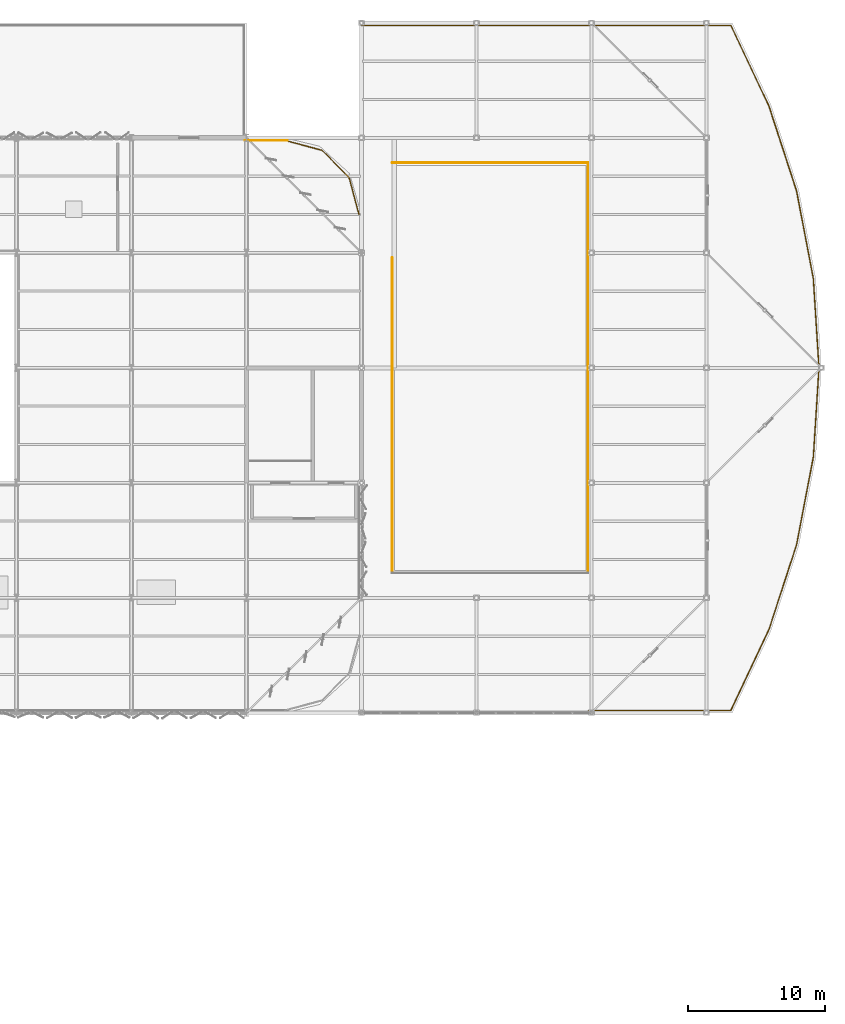
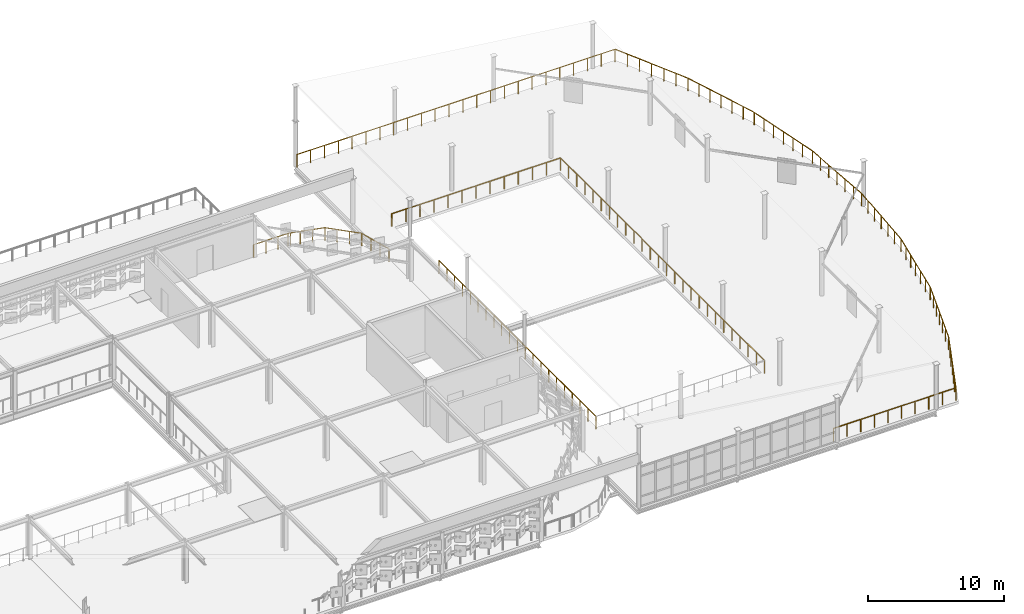
# One storey, part 65 of 65: 6 railings.
"""IFC4 building model written with IfcOpenShell, lengths in metres."""

import ifcopenshell
import ifcopenshell.guid

model = None  # the IFC model being written
_history = None  # IfcOwnerHistory: only IFC2X3 demands one
_inside = {}  # id of a spatial element -> (the spatial element, [elements in it])
_under = {}  # id of a project, library or spatial element -> (it, [spatial elements below it])
_declared = {}  # id of a project -> (the project, [libraries it declares])
_typed = {}  # id of a type object -> (the type object, [elements of that type])
_made_of = {}  # id of a material, layer set ... -> (it, [elements and type objects made of it])


def new_model(schema):
    """Start an empty IFC model of exactly this schema.

    Asked for "IFC4X3", IfcOpenShell would pick the latest addendum, in which some entities
    have other attributes; the version numbers below select the first issue.
    IFC2X3 requires an IfcOwnerHistory on every rooted entity: one is made here for all.
    """
    global model, _history
    if schema == "IFC4X3":
        model = ifcopenshell.file(schema_version=(4, 3, 0, 0))
    else:
        model = ifcopenshell.file(schema=schema)
    _inside.clear()
    _under.clear()
    _declared.clear()
    _typed.clear()
    _made_of.clear()
    _history = None
    if model.schema == "IFC2X3":
        org = make("IfcOrganization", Name="unknown")
        user = make(
            "IfcPersonAndOrganization",
            ThePerson=make("IfcPerson", FamilyName="unknown"),
            TheOrganization=org,
        )
        app = make(
            "IfcApplication",
            ApplicationDeveloper=org,
            Version="unknown",
            ApplicationFullName="unknown",
            ApplicationIdentifier="unknown",
        )
        _history = make(
            "IfcOwnerHistory",
            OwningUser=user,
            OwningApplication=app,
            ChangeAction="ADDED",
            CreationDate=0,
        )
    return model


def make(cls, **values):
    """One entity of the class cls with the attributes given. An attribute that is None is left unset."""
    return model.create_entity(
        cls, **{name: value for name, value in values.items() if value is not None}
    )


def rooted(cls, **values):
    """An entity with a GlobalId (a new one), such as an element, a storey or a relation."""
    return make(cls, GlobalId=ifcopenshell.guid.new(), OwnerHistory=_history, **values)


def si_unit(unit_type, name, prefix=None):
    """IfcSIUnit, for example si_unit("LENGTHUNIT", "METRE", prefix="MILLI")."""
    return make("IfcSIUnit", UnitType=unit_type, Prefix=prefix, Name=name)


def assignment(units):
    """IfcUnitAssignment: the units of a project."""
    return None if units is None else make("IfcUnitAssignment", Units=units)


def point(xyz):
    """IfcCartesianPoint."""
    return None if xyz is None else make("IfcCartesianPoint", Coordinates=xyz)


def direction(xyz):
    """IfcDirection."""
    return None if xyz is None else make("IfcDirection", DirectionRatios=xyz)


def frame(location, z_axis=None, x_axis=None):
    """IfcAxis2Placement3D, a coordinate frame: its origin and axes. An axis left out is left unset."""
    return make(
        "IfcAxis2Placement3D",
        Location=point(location),
        Axis=direction(z_axis),
        RefDirection=direction(x_axis),
    )


def frame_2d(location, x_axis=None):
    """IfcAxis2Placement2D, a coordinate frame in the plane: its origin and x axis."""
    return make(
        "IfcAxis2Placement2D", Location=point(location), RefDirection=direction(x_axis)
    )


def origin():
    """The frame at (0, 0, 0) with its axes left unset."""
    return frame((0.0, 0.0, 0.0))


def origin_2d():
    """The frame at (0, 0) in the plane with its x axis left unset."""
    return frame_2d((0.0, 0.0))


def place(relative_to, where):
    """IfcLocalPlacement: puts the frame where relative to a parent placement (None: the world)."""
    return make(
        "IfcLocalPlacement", PlacementRelTo=relative_to, RelativePlacement=where
    )


def context(
    kind, dimensions, precision=None, world=None, true_north=None, identifier=None
):
    """IfcGeometricRepresentationContext, for example the 3D "Model" context."""
    return make(
        "IfcGeometricRepresentationContext",
        ContextIdentifier=identifier,
        ContextType=kind,
        CoordinateSpaceDimension=dimensions,
        Precision=precision,
        WorldCoordinateSystem=world,
        TrueNorth=true_north,
    )


def subcontext(parent, identifier, kind, view, scale=None):
    """IfcGeometricRepresentationSubContext, for example "Body" below "Model"."""
    return make(
        "IfcGeometricRepresentationSubContext",
        ContextIdentifier=identifier,
        ContextType=kind,
        ParentContext=parent,
        TargetScale=scale,
        TargetView=view,
    )


def project(units=None, contexts=None):
    """IfcProject with its units and contexts."""
    return rooted(
        "IfcProject",
        Name="project",
        RepresentationContexts=contexts,
        UnitsInContext=assignment(units),
    )


def spatial(cls, under=None, at=None, **own):
    """A site, building, storey or space (cls), placed at a placement, below another one or the project."""
    s = rooted(cls, ObjectPlacement=at, **own)
    if under is not None:
        _under.setdefault(under.id(), (under, []))[1].append(s)
    return s


def profile(cls, at=None, kind="AREA", **sizes):
    """A parametric profile (cls). Its sizes go by their IFC names, for example OverallWidth=200.0."""
    return make(cls, ProfileType=kind, Position=at, **sizes)


def circle(**sizes):
    """IfcCircleProfileDef."""
    return profile("IfcCircleProfileDef", **sizes)


def extrude(swept, where, along, depth):
    """IfcExtrudedAreaSolid: the profile swept, set in the frame where, extruded along a direction by depth."""
    return make(
        "IfcExtrudedAreaSolid",
        SweptArea=swept,
        Position=where,
        ExtrudedDirection=direction(along),
        Depth=depth,
    )


def shape(context_of_items, identifier, shape_type, items):
    """IfcShapeRepresentation: the items that make up one representation, for example the "Body"."""
    return make(
        "IfcShapeRepresentation",
        ContextOfItems=context_of_items,
        RepresentationIdentifier=identifier,
        RepresentationType=shape_type,
        Items=items,
    )


def material(Name=None, Category=None):
    """IfcMaterial."""
    return make("IfcMaterial", Name=Name, Category=Category)


def made_of(thing, what):
    """Note that an element or type object is made of a material, layer set ...; save() writes the relation."""
    if what is not None:
        _made_of.setdefault(what.id(), (what, []))[1].append(thing)
    return thing


def type_object(cls, material=None, **own):
    """A type object (cls), such as IfcWallType, which elements share."""
    return made_of(rooted(cls, **own), material)


def element(
    cls,
    number,
    at=None,
    inside=None,
    cuts=None,
    type_object=None,
    material=None,
    context=None,
    identifier="Body",
    shape_type=None,
    held_by="IfcProductDefinitionShape",
    body=None,
    shapes=None,
    **own,
):
    """One element of the class cls, such as IfcWall. Its Tag is "e" and its number.

    at: its placement. inside: the storey or other place that contains it. cuts: it is an
    opening in that element (IfcRelVoidsElement). A single representation is given by context,
    identifier, shape_type and body (its items); several are given by shapes. held_by: the class
    of the entity that holds the representations. save() writes the other relations.
    """
    e = rooted(cls, Tag="e%d" % number, ObjectPlacement=at, **own)
    if body is not None:
        shapes = [shape(context, identifier, shape_type, body)]
    if shapes is not None:
        e.Representation = make(held_by, Representations=shapes)
    if inside is not None:
        _inside.setdefault(inside.id(), (inside, []))[1].append(e)
    if cuts is not None:
        rooted(
            "IfcRelVoidsElement", RelatingBuildingElement=cuts, RelatedOpeningElement=e
        )
    if type_object is not None:
        _typed.setdefault(type_object.id(), (type_object, []))[1].append(e)
    return made_of(e, material)


def aggregate(whole, parts):
    """IfcRelAggregates: a whole, such as a stair, and the parts it consists of."""
    return rooted("IfcRelAggregates", RelatingObject=whole, RelatedObjects=parts)


def save(model, path):
    """Write the relations noted so far, then the file.

    IfcRelAggregates (storeys below a building ...), IfcRelContainedInSpatialStructure (elements
    in a storey), IfcRelDefinesByType, IfcRelAssociatesMaterial and IfcRelDeclares: one each for
    every whole, place, type object, material and project.
    """
    for whole, parts in _under.values():
        aggregate(whole, parts)
    for where, things in _inside.values():
        rooted(
            "IfcRelContainedInSpatialStructure",
            RelatedElements=things,
            RelatingStructure=where,
        )
    for kind, things in _typed.values():
        rooted("IfcRelDefinesByType", RelatedObjects=things, RelatingType=kind)
    for what, things in _made_of.values():
        rooted("IfcRelAssociatesMaterial", RelatedObjects=things, RelatingMaterial=what)
    for by, libraries in _declared.values():
        rooted("IfcRelDeclares", RelatingContext=by, RelatedDefinitions=libraries)
    model.write(path)


model = new_model("IFC4")

# Units and contexts
model_context = context("Model", 3, precision=1e-05, world=origin(), true_north=direction((0.0, 1.0)))
body_context = subcontext(model_context, "Body", "Model", "MODEL_VIEW")
ifc_project = project(units=[si_unit("LENGTHUNIT", "METRE"), si_unit("AREAUNIT", "SQUARE_METRE"), si_unit("VOLUMEUNIT", "CUBIC_METRE"), si_unit("PLANEANGLEUNIT", "RADIAN"), si_unit("MASSUNIT", "GRAM", prefix="KILO")], contexts=[model_context])

# Site, building, storey
site_placement = place(None, origin())
site = spatial("IfcSite", under=ifc_project, at=site_placement, CompositionType="ELEMENT")
building_placement = place(site_placement, origin())
building = spatial("IfcBuilding", under=site, at=building_placement, Name="Qalvenar Corner Mobility Hub", CompositionType="ELEMENT")
storey_placement = place(building_placement, frame((0.0, 0.0, 17.39990234375)))
storey = spatial("IfcBuildingStorey", under=building, at=storey_placement, Name="L04", CompositionType="ELEMENT", Elevation=17.39990234375)

# Railings
ifc_material = material(Name="Galvanised Steel Deck Edge Barrier", Category="steel")
railing_type = type_object("IfcRailingType", Name="RL-GUARD-115", PredefinedType="GUARDRAIL", material=ifc_material)
railing_1_placement = place(storey_placement, frame((134.300048828125, 109.02001953125, 0.0)))
element("IfcRailing", 1, at=railing_1_placement, inside=storey, type_object=railing_type, Name="Parking Deck Edge Barrier L04-NE", PredefinedType="GUARDRAIL", context=body_context, shape_type="SweptSolid", body=[
    extrude(circle(Radius=0.02392578125, at=origin_2d()), frame((0.0, 0.0, 1.1259765625), z_axis=(1.0, 0.0, 0.0), x_axis=(0.0, 1.0, 0.0)), (0.0, 0.0, 1.0), 3.099853515625),
    extrude(circle(Radius=0.02099609375, at=origin_2d()), origin(), (0.0, 0.0, 1.0), 1.101806640625),
    extrude(circle(Radius=0.02099609375, at=origin_2d()), frame((1.033203125, 0.0, 0.0)), (0.0, 0.0, 1.0), 1.101806640625),
    extrude(circle(Radius=0.02099609375, at=origin_2d()), frame((2.066650390625, 0.0, 0.0)), (0.0, 0.0, 1.0), 1.101806640625),
    extrude(circle(Radius=0.02099609375, at=origin_2d()), frame((3.099853515625, 0.0, 0.0)), (0.0, 0.0, 1.0), 1.101806640625),
])
railing_2_placement = place(storey_placement, frame((142.6201171875, 103.60009765625, 0.0)))
element("IfcRailing", 2, at=railing_2_placement, inside=storey, type_object=railing_type, Name="Rounded Corner Barrier L04-NE", PredefinedType="GUARDRAIL", context=body_context, shape_type="SweptSolid", body=[
    extrude(circle(Radius=0.02392578125, at=origin_2d()), frame((0.0, 0.0, 1.1259765625), z_axis=(-0.25888107057, 0.965909204481, 0.0), x_axis=(-0.965909204481, -0.25888107057, 0.0)), (0.0, 0.0, 1.0), 2.8056640625),
    extrude(circle(Radius=0.02392578125, at=origin_2d()), frame((-0.726318359375, 2.7099609375, 1.1259765625), z_axis=(-0.707106781187, 0.707106781187, 0.0), x_axis=(-0.707106781187, -0.707106781187, 0.0)), (0.0, 0.0, 1.0), 2.8056640625),
    extrude(circle(Radius=0.02392578125, at=origin_2d()), frame((-2.710205078125, 4.69384765625, 1.1259765625), z_axis=(-0.965930961109, 0.258799880931, 0.0), x_axis=(-0.258799880931, -0.965930961109, 0.0)), (0.0, 0.0, 1.0), 2.8056640625),
    extrude(circle(Radius=0.02099609375, at=origin_2d()), origin(), (0.0, 0.0, 1.0), 1.101806640625),
    extrude(circle(Radius=0.02099609375, at=origin_2d()), frame((-0.2421875, 0.9033203125, 0.0)), (0.0, 0.0, 1.0), 1.101806640625),
    extrude(circle(Radius=0.02099609375, at=origin_2d()), frame((-0.484130859375, 1.806640625, 0.0)), (0.0, 0.0, 1.0), 1.101806640625),
    extrude(circle(Radius=0.02099609375, at=origin_2d()), frame((-0.726318359375, 2.7099609375, 0.0)), (0.0, 0.0, 1.0), 1.101806640625),
    extrude(circle(Radius=0.02099609375, at=origin_2d()), frame((-1.3876953125, 3.371337890625, 0.0)), (0.0, 0.0, 1.0), 1.101806640625),
    extrude(circle(Radius=0.02099609375, at=origin_2d()), frame((-2.048828125, 4.032470703125, 0.0)), (0.0, 0.0, 1.0), 1.101806640625),
    extrude(circle(Radius=0.02099609375, at=origin_2d()), frame((-2.710205078125, 4.69384765625, 0.0)), (0.0, 0.0, 1.0), 1.101806640625),
    extrude(circle(Radius=0.02099609375, at=origin_2d()), frame((-3.613525390625, 4.935791015625, 0.0)), (0.0, 0.0, 1.0), 1.101806640625),
    extrude(circle(Radius=0.02099609375, at=origin_2d()), frame((-4.516845703125, 5.177978515625, 0.0)), (0.0, 0.0, 1.0), 1.101806640625),
    extrude(circle(Radius=0.02099609375, at=origin_2d()), frame((-5.420166015625, 5.419921875, 0.0)), (0.0, 0.0, 1.0), 1.101806640625),
])
railing_3_placement = place(storey_placement, frame((159.39990234375, 67.3798828125, 0.0)))
element("IfcRailing", 3, at=railing_3_placement, inside=storey, type_object=railing_type, Name="Rotunda Drum Perimeter Barrier L04", PredefinedType="GUARDRAIL", context=body_context, shape_type="SweptSolid", body=[
    extrude(circle(Radius=0.02392578125, at=origin_2d()), frame((0.0, 0.0, 1.1259765625), z_axis=(1.0, 0.0, 0.0), x_axis=(0.0, 1.0, 0.0)), (0.0, 0.0, 1.0), 10.379638671875),
    extrude(circle(Radius=0.02392578125, at=origin_2d()), frame((10.379638671875, 0.0, 1.1259765625), z_axis=(0.426753831434, 0.904367827466, 0.0), x_axis=(-0.904367827466, 0.426753831434, 0.0)), (0.0, 0.0, 1.0), 6.5234375),
    extrude(circle(Radius=0.02392578125, at=origin_2d()), frame((13.16357421875, 5.899658203125, 1.1259765625), z_axis=(0.309730839995, 0.950824277538, 0.0), x_axis=(-0.950824277538, 0.309730839995, 0.0)), (0.0, 0.0, 1.0), 6.5234375),
    extrude(circle(Radius=0.02392578125, at=origin_2d()), frame((15.18408203125, 12.102294921875, 1.1259765625), z_axis=(0.187839523494, 0.982199731935, 0.0), x_axis=(-0.982199731935, 0.187839523494, 0.0)), (0.0, 0.0, 1.0), 6.5234375),
    extrude(circle(Radius=0.02392578125, at=origin_2d()), frame((16.409423828125, 18.509521484375, 1.1259765625), z_axis=(0.062949118857, 0.998016737553, 0.0), x_axis=(-0.998016737553, 0.062949118857, 0.0)), (0.0, 0.0, 1.0), 6.5234375),
    extrude(circle(Radius=0.02392578125, at=origin_2d()), frame((16.820068359375, 25.02001953125, 1.1259765625), z_axis=(-0.062949118857, 0.998016737553, 0.0), x_axis=(-0.998016737553, -0.062949118857, 0.0)), (0.0, 0.0, 1.0), 6.5234375),
    extrude(circle(Radius=0.02392578125, at=origin_2d()), frame((16.409423828125, 31.530517578125, 1.1259765625), z_axis=(-0.187832618856, 0.982201052379, 0.0), x_axis=(-0.982201052379, -0.187832618856, 0.0)), (0.0, 0.0, 1.0), 6.523681640625),
    extrude(circle(Radius=0.02392578125, at=origin_2d()), frame((15.18408203125, 37.93798828125, 1.1259765625), z_axis=(-0.309730839995, 0.950824277538, 0.0), x_axis=(-0.950824277538, -0.309730839995, 0.0)), (0.0, 0.0, 1.0), 6.5234375),
    extrude(circle(Radius=0.02392578125, at=origin_2d()), frame((13.16357421875, 44.140625, 1.1259765625), z_axis=(-0.426768275647, 0.904361011378, 0.0), x_axis=(-0.904361011378, -0.426768275647, 0.0)), (0.0, 0.0, 1.0), 6.523193359375),
    extrude(circle(Radius=0.02392578125, at=origin_2d()), frame((10.379638671875, 50.0400390625, 1.1259765625), z_axis=(-1.0, 0.0, 0.0), x_axis=(0.0, -1.0, 0.0)), (0.0, 0.0, 1.0), 26.9794921875),
    extrude(circle(Radius=0.02099609375, at=origin_2d()), origin(), (0.0, 0.0, 1.0), 1.101806640625),
    extrude(circle(Radius=0.02099609375, at=origin_2d()), frame((1.1533203125, 0.0, 0.0)), (0.0, 0.0, 1.0), 1.101806640625),
    extrude(circle(Radius=0.02099609375, at=origin_2d()), frame((2.306640625, 0.0, 0.0)), (0.0, 0.0, 1.0), 1.101806640625),
    extrude(circle(Radius=0.02099609375, at=origin_2d()), frame((3.4599609375, 0.0, 0.0)), (0.0, 0.0, 1.0), 1.101806640625),
    extrude(circle(Radius=0.02099609375, at=origin_2d()), frame((4.61328125, 0.0, 0.0)), (0.0, 0.0, 1.0), 1.101806640625),
    extrude(circle(Radius=0.02099609375, at=origin_2d()), frame((5.766357421875, 0.0, 0.0)), (0.0, 0.0, 1.0), 1.101806640625),
    extrude(circle(Radius=0.02099609375, at=origin_2d()), frame((6.919677734375, 0.0, 0.0)), (0.0, 0.0, 1.0), 1.101806640625),
    extrude(circle(Radius=0.02099609375, at=origin_2d()), frame((8.072998046875, 0.0, 0.0)), (0.0, 0.0, 1.0), 1.101806640625),
    extrude(circle(Radius=0.02099609375, at=origin_2d()), frame((9.226318359375, 0.0, 0.0)), (0.0, 0.0, 1.0), 1.101806640625),
    extrude(circle(Radius=0.02099609375, at=origin_2d()), frame((10.379638671875, 0.0, 0.0)), (0.0, 0.0, 1.0), 1.101806640625),
    extrude(circle(Radius=0.02099609375, at=origin_2d()), frame((10.84375, 0.9833984375, 0.0)), (0.0, 0.0, 1.0), 1.101806640625),
    extrude(circle(Radius=0.02099609375, at=origin_2d()), frame((11.3076171875, 1.966552734375, 0.0)), (0.0, 0.0, 1.0), 1.101806640625),
    extrude(circle(Radius=0.02099609375, at=origin_2d()), frame((11.771484375, 2.94970703125, 0.0)), (0.0, 0.0, 1.0), 1.101806640625),
    extrude(circle(Radius=0.02099609375, at=origin_2d()), frame((12.235595703125, 3.93310546875, 0.0)), (0.0, 0.0, 1.0), 1.101806640625),
    extrude(circle(Radius=0.02099609375, at=origin_2d()), frame((12.69970703125, 4.91650390625, 0.0)), (0.0, 0.0, 1.0), 1.101806640625),
    extrude(circle(Radius=0.02099609375, at=origin_2d()), frame((13.16357421875, 5.899658203125, 0.0)), (0.0, 0.0, 1.0), 1.101806640625),
    extrude(circle(Radius=0.02099609375, at=origin_2d()), frame((13.500244140625, 6.933349609375, 0.0)), (0.0, 0.0, 1.0), 1.101806640625),
    extrude(circle(Radius=0.02099609375, at=origin_2d()), frame((13.837158203125, 7.96728515625, 0.0)), (0.0, 0.0, 1.0), 1.101806640625),
    extrude(circle(Radius=0.02099609375, at=origin_2d()), frame((14.173828125, 9.0009765625, 0.0)), (0.0, 0.0, 1.0), 1.101806640625),
    extrude(circle(Radius=0.02099609375, at=origin_2d()), frame((14.510498046875, 10.03466796875, 0.0)), (0.0, 0.0, 1.0), 1.101806640625),
    extrude(circle(Radius=0.02099609375, at=origin_2d()), frame((14.847412109375, 11.068603515625, 0.0)), (0.0, 0.0, 1.0), 1.101806640625),
    extrude(circle(Radius=0.02099609375, at=origin_2d()), frame((15.18408203125, 12.102294921875, 0.0)), (0.0, 0.0, 1.0), 1.101806640625),
    extrude(circle(Radius=0.02099609375, at=origin_2d()), frame((15.38818359375, 13.170166015625, 0.0)), (0.0, 0.0, 1.0), 1.101806640625),
    extrude(circle(Radius=0.02099609375, at=origin_2d()), frame((15.592529296875, 14.238037109375, 0.0)), (0.0, 0.0, 1.0), 1.101806640625),
    extrude(circle(Radius=0.02099609375, at=origin_2d()), frame((15.796875, 15.305908203125, 0.0)), (0.0, 0.0, 1.0), 1.101806640625),
    extrude(circle(Radius=0.02099609375, at=origin_2d()), frame((16.0009765625, 16.373779296875, 0.0)), (0.0, 0.0, 1.0), 1.101806640625),
    extrude(circle(Radius=0.02099609375, at=origin_2d()), frame((16.205078125, 17.441650390625, 0.0)), (0.0, 0.0, 1.0), 1.101806640625),
    extrude(circle(Radius=0.02099609375, at=origin_2d()), frame((16.409423828125, 18.509521484375, 0.0)), (0.0, 0.0, 1.0), 1.101806640625),
    extrude(circle(Radius=0.02099609375, at=origin_2d()), frame((16.477783203125, 19.5947265625, 0.0)), (0.0, 0.0, 1.0), 1.101806640625),
    extrude(circle(Radius=0.02099609375, at=origin_2d()), frame((16.54638671875, 20.6796875, 0.0)), (0.0, 0.0, 1.0), 1.101806640625),
    extrude(circle(Radius=0.02099609375, at=origin_2d()), frame((16.61474609375, 21.7646484375, 0.0)), (0.0, 0.0, 1.0), 1.101806640625),
    extrude(circle(Radius=0.02099609375, at=origin_2d()), frame((16.68310546875, 22.849853515625, 0.0)), (0.0, 0.0, 1.0), 1.101806640625),
    extrude(circle(Radius=0.02099609375, at=origin_2d()), frame((16.751708984375, 23.93505859375, 0.0)), (0.0, 0.0, 1.0), 1.101806640625),
    extrude(circle(Radius=0.02099609375, at=origin_2d()), frame((16.820068359375, 25.02001953125, 0.0)), (0.0, 0.0, 1.0), 1.101806640625),
    extrude(circle(Radius=0.02099609375, at=origin_2d()), frame((16.751708984375, 26.10498046875, 0.0)), (0.0, 0.0, 1.0), 1.101806640625),
    extrude(circle(Radius=0.02099609375, at=origin_2d()), frame((16.68310546875, 27.190185546875, 0.0)), (0.0, 0.0, 1.0), 1.101806640625),
    extrude(circle(Radius=0.02099609375, at=origin_2d()), frame((16.61474609375, 28.275390625, 0.0)), (0.0, 0.0, 1.0), 1.101806640625),
    extrude(circle(Radius=0.02099609375, at=origin_2d()), frame((16.54638671875, 29.3603515625, 0.0)), (0.0, 0.0, 1.0), 1.101806640625),
    extrude(circle(Radius=0.02099609375, at=origin_2d()), frame((16.477783203125, 30.4453125, 0.0)), (0.0, 0.0, 1.0), 1.101806640625),
    extrude(circle(Radius=0.02099609375, at=origin_2d()), frame((16.409423828125, 31.530517578125, 0.0)), (0.0, 0.0, 1.0), 1.101806640625),
    extrude(circle(Radius=0.02099609375, at=origin_2d()), frame((16.205078125, 32.598388671875, 0.0)), (0.0, 0.0, 1.0), 1.101806640625),
    extrude(circle(Radius=0.02099609375, at=origin_2d()), frame((16.0009765625, 33.666259765625, 0.0)), (0.0, 0.0, 1.0), 1.101806640625),
    extrude(circle(Radius=0.02099609375, at=origin_2d()), frame((15.796875, 34.734375, 0.0)), (0.0, 0.0, 1.0), 1.101806640625),
    extrude(circle(Radius=0.02099609375, at=origin_2d()), frame((15.592529296875, 35.80224609375, 0.0)), (0.0, 0.0, 1.0), 1.101806640625),
    extrude(circle(Radius=0.02099609375, at=origin_2d()), frame((15.38818359375, 36.8701171875, 0.0)), (0.0, 0.0, 1.0), 1.101806640625),
    extrude(circle(Radius=0.02099609375, at=origin_2d()), frame((15.18408203125, 37.93798828125, 0.0)), (0.0, 0.0, 1.0), 1.101806640625),
    extrude(circle(Radius=0.02099609375, at=origin_2d()), frame((14.847412109375, 38.9716796875, 0.0)), (0.0, 0.0, 1.0), 1.101806640625),
    extrude(circle(Radius=0.02099609375, at=origin_2d()), frame((14.510498046875, 40.005615234375, 0.0)), (0.0, 0.0, 1.0), 1.101806640625),
    extrude(circle(Radius=0.02099609375, at=origin_2d()), frame((14.173828125, 41.039306640625, 0.0)), (0.0, 0.0, 1.0), 1.101806640625),
    extrude(circle(Radius=0.02099609375, at=origin_2d()), frame((13.837158203125, 42.072998046875, 0.0)), (0.0, 0.0, 1.0), 1.101806640625),
    extrude(circle(Radius=0.02099609375, at=origin_2d()), frame((13.500244140625, 43.10693359375, 0.0)), (0.0, 0.0, 1.0), 1.101806640625),
    extrude(circle(Radius=0.02099609375, at=origin_2d()), frame((13.16357421875, 44.140625, 0.0)), (0.0, 0.0, 1.0), 1.101806640625),
    extrude(circle(Radius=0.02099609375, at=origin_2d()), frame((12.69970703125, 45.123779296875, 0.0)), (0.0, 0.0, 1.0), 1.101806640625),
    extrude(circle(Radius=0.02099609375, at=origin_2d()), frame((12.235595703125, 46.107177734375, 0.0)), (0.0, 0.0, 1.0), 1.101806640625),
    extrude(circle(Radius=0.02099609375, at=origin_2d()), frame((11.771484375, 47.09033203125, 0.0)), (0.0, 0.0, 1.0), 1.101806640625),
    extrude(circle(Radius=0.02099609375, at=origin_2d()), frame((11.3076171875, 48.073486328125, 0.0)), (0.0, 0.0, 1.0), 1.101806640625),
    extrude(circle(Radius=0.02099609375, at=origin_2d()), frame((10.84375, 49.056884765625, 0.0)), (0.0, 0.0, 1.0), 1.101806640625),
    extrude(circle(Radius=0.02099609375, at=origin_2d()), frame((10.379638671875, 50.0400390625, 0.0)), (0.0, 0.0, 1.0), 1.101806640625),
    extrude(circle(Radius=0.02099609375, at=origin_2d()), frame((9.20654296875, 50.0400390625, 0.0)), (0.0, 0.0, 1.0), 1.101806640625),
    extrude(circle(Radius=0.02099609375, at=origin_2d()), frame((8.03369140625, 50.0400390625, 0.0)), (0.0, 0.0, 1.0), 1.101806640625),
    extrude(circle(Radius=0.02099609375, at=origin_2d()), frame((6.860595703125, 50.0400390625, 0.0)), (0.0, 0.0, 1.0), 1.101806640625),
    extrude(circle(Radius=0.02099609375, at=origin_2d()), frame((5.6875, 50.0400390625, 0.0)), (0.0, 0.0, 1.0), 1.101806640625),
    extrude(circle(Radius=0.02099609375, at=origin_2d()), frame((4.5146484375, 50.0400390625, 0.0)), (0.0, 0.0, 1.0), 1.101806640625),
    extrude(circle(Radius=0.02099609375, at=origin_2d()), frame((3.341552734375, 50.0400390625, 0.0)), (0.0, 0.0, 1.0), 1.101806640625),
    extrude(circle(Radius=0.02099609375, at=origin_2d()), frame((2.16845703125, 50.0400390625, 0.0)), (0.0, 0.0, 1.0), 1.101806640625),
    extrude(circle(Radius=0.02099609375, at=origin_2d()), frame((0.995361328125, 50.0400390625, 0.0)), (0.0, 0.0, 1.0), 1.101806640625),
    extrude(circle(Radius=0.02099609375, at=origin_2d()), frame((-0.177490234375, 50.0400390625, 0.0)), (0.0, 0.0, 1.0), 1.101806640625),
    extrude(circle(Radius=0.02099609375, at=origin_2d()), frame((-1.3505859375, 50.0400390625, 0.0)), (0.0, 0.0, 1.0), 1.101806640625),
    extrude(circle(Radius=0.02099609375, at=origin_2d()), frame((-2.523681640625, 50.0400390625, 0.0)), (0.0, 0.0, 1.0), 1.101806640625),
    extrude(circle(Radius=0.02099609375, at=origin_2d()), frame((-3.696533203125, 50.0400390625, 0.0)), (0.0, 0.0, 1.0), 1.101806640625),
    extrude(circle(Radius=0.02099609375, at=origin_2d()), frame((-4.86962890625, 50.0400390625, 0.0)), (0.0, 0.0, 1.0), 1.101806640625),
    extrude(circle(Radius=0.02099609375, at=origin_2d()), frame((-6.042724609375, 50.0400390625, 0.0)), (0.0, 0.0, 1.0), 1.101806640625),
    extrude(circle(Radius=0.02099609375, at=origin_2d()), frame((-7.215576171875, 50.0400390625, 0.0)), (0.0, 0.0, 1.0), 1.101806640625),
    extrude(circle(Radius=0.02099609375, at=origin_2d()), frame((-8.388671875, 50.0400390625, 0.0)), (0.0, 0.0, 1.0), 1.101806640625),
    extrude(circle(Radius=0.02099609375, at=origin_2d()), frame((-9.561767578125, 50.0400390625, 0.0)), (0.0, 0.0, 1.0), 1.101806640625),
    extrude(circle(Radius=0.02099609375, at=origin_2d()), frame((-10.73486328125, 50.0400390625, 0.0)), (0.0, 0.0, 1.0), 1.101806640625),
    extrude(circle(Radius=0.02099609375, at=origin_2d()), frame((-11.90771484375, 50.0400390625, 0.0)), (0.0, 0.0, 1.0), 1.101806640625),
    extrude(circle(Radius=0.02099609375, at=origin_2d()), frame((-13.080810546875, 50.0400390625, 0.0)), (0.0, 0.0, 1.0), 1.101806640625),
    extrude(circle(Radius=0.02099609375, at=origin_2d()), frame((-14.25390625, 50.0400390625, 0.0)), (0.0, 0.0, 1.0), 1.101806640625),
    extrude(circle(Radius=0.02099609375, at=origin_2d()), frame((-15.4267578125, 50.0400390625, 0.0)), (0.0, 0.0, 1.0), 1.101806640625),
    extrude(circle(Radius=0.02099609375, at=origin_2d()), frame((-16.599853515625, 50.0400390625, 0.0)), (0.0, 0.0, 1.0), 1.101806640625),
])
railing_4_placement = place(storey_placement, frame((145.050048828125, 107.3798828125, 0.0)))
element("IfcRailing", 4, at=railing_4_placement, inside=storey, type_object=railing_type, Name="Ramp Well Guardrail North L04", PredefinedType="GUARDRAIL", context=body_context, shape_type="SweptSolid", body=[
    extrude(circle(Radius=0.02392578125, at=origin_2d()), frame((0.0, 0.0, 1.1259765625), z_axis=(1.0, 0.0, 0.0), x_axis=(0.0, 1.0, 0.0)), (0.0, 0.0, 1.0), 14.300048828125),
    extrude(circle(Radius=0.02099609375, at=origin_2d()), origin(), (0.0, 0.0, 1.0), 1.101806640625),
    extrude(circle(Radius=0.02099609375, at=origin_2d()), frame((1.191650390625, 0.0, 0.0)), (0.0, 0.0, 1.0), 1.101806640625),
    extrude(circle(Radius=0.02099609375, at=origin_2d()), frame((2.38330078125, 0.0, 0.0)), (0.0, 0.0, 1.0), 1.101806640625),
    extrude(circle(Radius=0.02099609375, at=origin_2d()), frame((3.574951171875, 0.0, 0.0)), (0.0, 0.0, 1.0), 1.101806640625),
    extrude(circle(Radius=0.02099609375, at=origin_2d()), frame((4.7666015625, 0.0, 0.0)), (0.0, 0.0, 1.0), 1.101806640625),
    extrude(circle(Radius=0.02099609375, at=origin_2d()), frame((5.958251953125, 0.0, 0.0)), (0.0, 0.0, 1.0), 1.101806640625),
    extrude(circle(Radius=0.02099609375, at=origin_2d()), frame((7.14990234375, 0.0, 0.0)), (0.0, 0.0, 1.0), 1.101806640625),
    extrude(circle(Radius=0.02099609375, at=origin_2d()), frame((8.341796875, 0.0, 0.0)), (0.0, 0.0, 1.0), 1.101806640625),
    extrude(circle(Radius=0.02099609375, at=origin_2d()), frame((9.533447265625, 0.0, 0.0)), (0.0, 0.0, 1.0), 1.101806640625),
    extrude(circle(Radius=0.02099609375, at=origin_2d()), frame((10.72509765625, 0.0, 0.0)), (0.0, 0.0, 1.0), 1.101806640625),
    extrude(circle(Radius=0.02099609375, at=origin_2d()), frame((11.916748046875, 0.0, 0.0)), (0.0, 0.0, 1.0), 1.101806640625),
    extrude(circle(Radius=0.02099609375, at=origin_2d()), frame((13.1083984375, 0.0, 0.0)), (0.0, 0.0, 1.0), 1.101806640625),
    extrude(circle(Radius=0.02099609375, at=origin_2d()), frame((14.300048828125, 0.0, 0.0)), (0.0, 0.0, 1.0), 1.101806640625),
])
railing_5_placement = place(storey_placement, frame((145.050048828125, 77.419921875, 0.0)))
element("IfcRailing", 5, at=railing_5_placement, inside=storey, type_object=railing_type, Name="Ramp Well Guardrail West L04", PredefinedType="GUARDRAIL", context=body_context, shape_type="SweptSolid", body=[
    extrude(circle(Radius=0.02392578125, at=origin_2d()), frame((0.0, 0.0, 1.1259765625), z_axis=(0.0, 1.0, 0.0), x_axis=(-1.0, 0.0, 0.0)), (0.0, 0.0, 1.0), 23.030029296875),
    extrude(circle(Radius=0.02099609375, at=origin_2d()), origin(), (0.0, 0.0, 1.0), 1.101806640625),
    extrude(circle(Radius=0.02099609375, at=origin_2d()), frame((0.0, 1.151611328125, 0.0)), (0.0, 0.0, 1.0), 1.101806640625),
    extrude(circle(Radius=0.02099609375, at=origin_2d()), frame((0.0, 2.302978515625, 0.0)), (0.0, 0.0, 1.0), 1.101806640625),
    extrude(circle(Radius=0.02099609375, at=origin_2d()), frame((0.0, 3.45458984375, 0.0)), (0.0, 0.0, 1.0), 1.101806640625),
    extrude(circle(Radius=0.02099609375, at=origin_2d()), frame((0.0, 4.60595703125, 0.0)), (0.0, 0.0, 1.0), 1.101806640625),
    extrude(circle(Radius=0.02099609375, at=origin_2d()), frame((0.0, 5.757568359375, 0.0)), (0.0, 0.0, 1.0), 1.101806640625),
    extrude(circle(Radius=0.02099609375, at=origin_2d()), frame((0.0, 6.908935546875, 0.0)), (0.0, 0.0, 1.0), 1.101806640625),
    extrude(circle(Radius=0.02099609375, at=origin_2d()), frame((0.0, 8.060546875, 0.0)), (0.0, 0.0, 1.0), 1.101806640625),
    extrude(circle(Radius=0.02099609375, at=origin_2d()), frame((0.0, 9.2119140625, 0.0)), (0.0, 0.0, 1.0), 1.101806640625),
    extrude(circle(Radius=0.02099609375, at=origin_2d()), frame((0.0, 10.363525390625, 0.0)), (0.0, 0.0, 1.0), 1.101806640625),
    extrude(circle(Radius=0.02099609375, at=origin_2d()), frame((0.0, 11.51513671875, 0.0)), (0.0, 0.0, 1.0), 1.101806640625),
    extrude(circle(Radius=0.02099609375, at=origin_2d()), frame((0.0, 12.66650390625, 0.0)), (0.0, 0.0, 1.0), 1.101806640625),
    extrude(circle(Radius=0.02099609375, at=origin_2d()), frame((0.0, 13.818115234375, 0.0)), (0.0, 0.0, 1.0), 1.101806640625),
    extrude(circle(Radius=0.02099609375, at=origin_2d()), frame((0.0, 14.969482421875, 0.0)), (0.0, 0.0, 1.0), 1.101806640625),
    extrude(circle(Radius=0.02099609375, at=origin_2d()), frame((0.0, 16.12109375, 0.0)), (0.0, 0.0, 1.0), 1.101806640625),
    extrude(circle(Radius=0.02099609375, at=origin_2d()), frame((0.0, 17.2724609375, 0.0)), (0.0, 0.0, 1.0), 1.101806640625),
    extrude(circle(Radius=0.02099609375, at=origin_2d()), frame((0.0, 18.424072265625, 0.0)), (0.0, 0.0, 1.0), 1.101806640625),
    extrude(circle(Radius=0.02099609375, at=origin_2d()), frame((0.0, 19.575439453125, 0.0)), (0.0, 0.0, 1.0), 1.101806640625),
    extrude(circle(Radius=0.02099609375, at=origin_2d()), frame((0.0, 20.72705078125, 0.0)), (0.0, 0.0, 1.0), 1.101806640625),
    extrude(circle(Radius=0.02099609375, at=origin_2d()), frame((0.0, 21.87841796875, 0.0)), (0.0, 0.0, 1.0), 1.101806640625),
    extrude(circle(Radius=0.02099609375, at=origin_2d()), frame((0.0, 23.030029296875, 0.0)), (0.0, 0.0, 1.0), 1.101806640625),
])
railing_6_placement = place(storey_placement, frame((159.35009765625, 77.419921875, 0.0)))
element("IfcRailing", 6, at=railing_6_placement, inside=storey, type_object=railing_type, Name="Ramp Well Guardrail East L04", PredefinedType="GUARDRAIL", context=body_context, shape_type="SweptSolid", body=[
    extrude(circle(Radius=0.02392578125, at=origin_2d()), frame((0.0, 0.0, 1.1259765625), z_axis=(0.0, 1.0, 0.0), x_axis=(-1.0, 0.0, 0.0)), (0.0, 0.0, 1.0), 29.9599609375),
    extrude(circle(Radius=0.02099609375, at=origin_2d()), origin(), (0.0, 0.0, 1.0), 1.101806640625),
    extrude(circle(Radius=0.02099609375, at=origin_2d()), frame((0.0, 1.198486328125, 0.0)), (0.0, 0.0, 1.0), 1.101806640625),
    extrude(circle(Radius=0.02099609375, at=origin_2d()), frame((0.0, 2.396728515625, 0.0)), (0.0, 0.0, 1.0), 1.101806640625),
    extrude(circle(Radius=0.02099609375, at=origin_2d()), frame((0.0, 3.59521484375, 0.0)), (0.0, 0.0, 1.0), 1.101806640625),
    extrude(circle(Radius=0.02099609375, at=origin_2d()), frame((0.0, 4.793701171875, 0.0)), (0.0, 0.0, 1.0), 1.101806640625),
    extrude(circle(Radius=0.02099609375, at=origin_2d()), frame((0.0, 5.991943359375, 0.0)), (0.0, 0.0, 1.0), 1.101806640625),
    extrude(circle(Radius=0.02099609375, at=origin_2d()), frame((0.0, 7.1904296875, 0.0)), (0.0, 0.0, 1.0), 1.101806640625),
    extrude(circle(Radius=0.02099609375, at=origin_2d()), frame((0.0, 8.388671875, 0.0)), (0.0, 0.0, 1.0), 1.101806640625),
    extrude(circle(Radius=0.02099609375, at=origin_2d()), frame((0.0, 9.587158203125, 0.0)), (0.0, 0.0, 1.0), 1.101806640625),
    extrude(circle(Radius=0.02099609375, at=origin_2d()), frame((0.0, 10.78564453125, 0.0)), (0.0, 0.0, 1.0), 1.101806640625),
    extrude(circle(Radius=0.02099609375, at=origin_2d()), frame((0.0, 11.98388671875, 0.0)), (0.0, 0.0, 1.0), 1.101806640625),
    extrude(circle(Radius=0.02099609375, at=origin_2d()), frame((0.0, 13.182373046875, 0.0)), (0.0, 0.0, 1.0), 1.101806640625),
    extrude(circle(Radius=0.02099609375, at=origin_2d()), frame((0.0, 14.380859375, 0.0)), (0.0, 0.0, 1.0), 1.101806640625),
    extrude(circle(Radius=0.02099609375, at=origin_2d()), frame((0.0, 15.5791015625, 0.0)), (0.0, 0.0, 1.0), 1.101806640625),
    extrude(circle(Radius=0.02099609375, at=origin_2d()), frame((0.0, 16.777587890625, 0.0)), (0.0, 0.0, 1.0), 1.101806640625),
    extrude(circle(Radius=0.02099609375, at=origin_2d()), frame((0.0, 17.97607421875, 0.0)), (0.0, 0.0, 1.0), 1.101806640625),
    extrude(circle(Radius=0.02099609375, at=origin_2d()), frame((0.0, 19.17431640625, 0.0)), (0.0, 0.0, 1.0), 1.101806640625),
    extrude(circle(Radius=0.02099609375, at=origin_2d()), frame((0.0, 20.372802734375, 0.0)), (0.0, 0.0, 1.0), 1.101806640625),
    extrude(circle(Radius=0.02099609375, at=origin_2d()), frame((0.0, 21.5712890625, 0.0)), (0.0, 0.0, 1.0), 1.101806640625),
    extrude(circle(Radius=0.02099609375, at=origin_2d()), frame((0.0, 22.76953125, 0.0)), (0.0, 0.0, 1.0), 1.101806640625),
    extrude(circle(Radius=0.02099609375, at=origin_2d()), frame((0.0, 23.968017578125, 0.0)), (0.0, 0.0, 1.0), 1.101806640625),
    extrude(circle(Radius=0.02099609375, at=origin_2d()), frame((0.0, 25.166259765625, 0.0)), (0.0, 0.0, 1.0), 1.101806640625),
    extrude(circle(Radius=0.02099609375, at=origin_2d()), frame((0.0, 26.36474609375, 0.0)), (0.0, 0.0, 1.0), 1.101806640625),
    extrude(circle(Radius=0.02099609375, at=origin_2d()), frame((0.0, 27.563232421875, 0.0)), (0.0, 0.0, 1.0), 1.101806640625),
    extrude(circle(Radius=0.02099609375, at=origin_2d()), frame((0.0, 28.761474609375, 0.0)), (0.0, 0.0, 1.0), 1.101806640625),
    extrude(circle(Radius=0.02099609375, at=origin_2d()), frame((0.0, 29.9599609375, 0.0)), (0.0, 0.0, 1.0), 1.101806640625),
])

save(model, "model.ifc")
